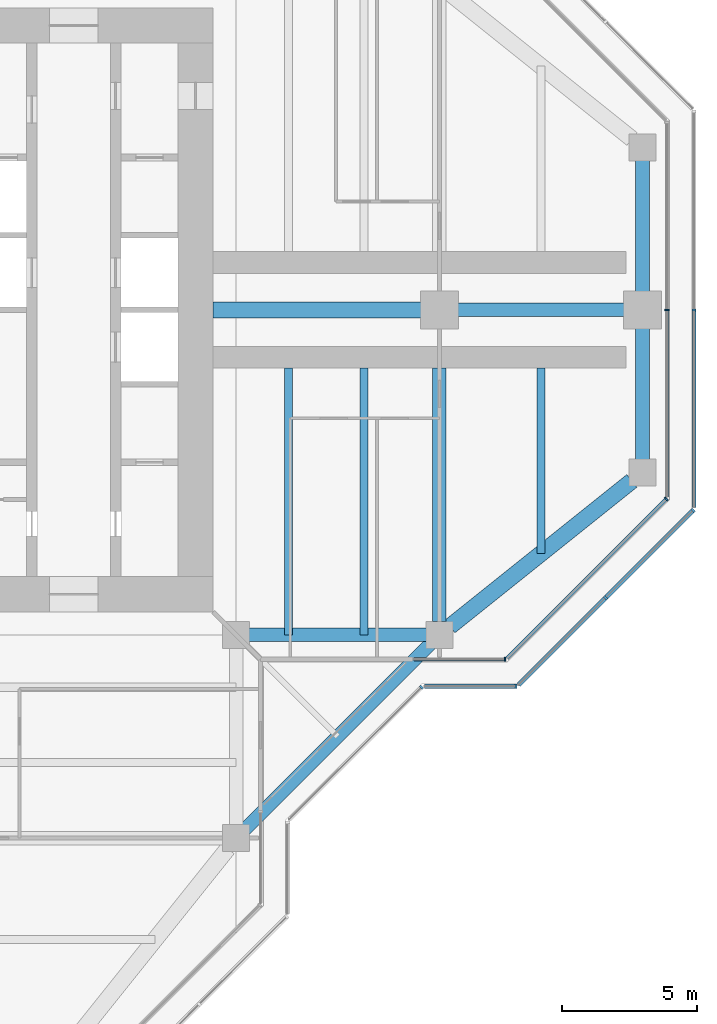
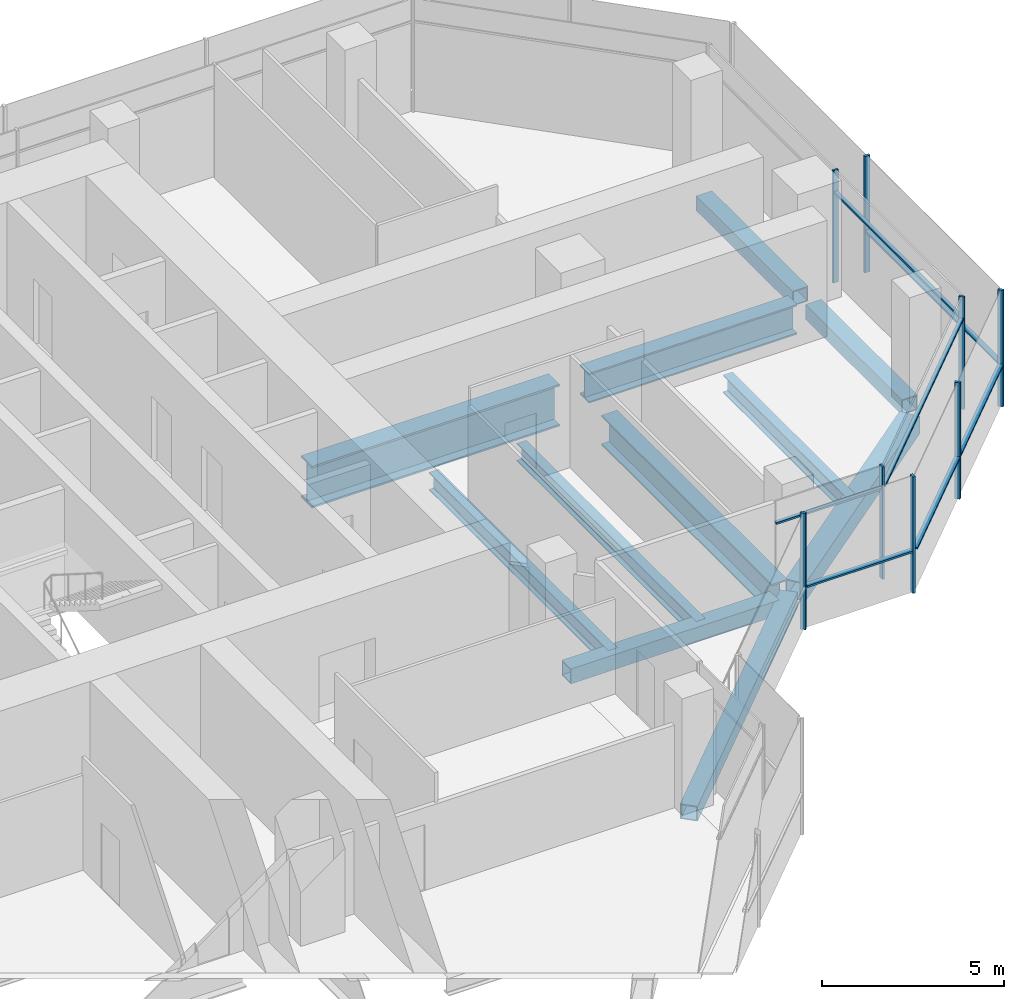
# One storey, part 5 of 16: 15 members, 11 beams, 7 elements without a shape of their own.
"""IFC4 building model written with IfcOpenShell, lengths in metres."""

from ifc_helpers import new_model, si_unit, direction, frame, origin, origin_2d, place, context, subcontext, project, spatial, rectangle, hollow_rectangle, i_section, extrude, material, material_profile, profile_set, type_object, element, aggregate, save


model = new_model("IFC4")

# Units and contexts
model_context = context("Model", 3, precision=1e-05, world=origin(), true_north=direction((0.0, 1.0)))
body_context = subcontext(model_context, "Body", "Model", "MODEL_VIEW")
ifc_project = project(units=[si_unit("LENGTHUNIT", "METRE"), si_unit("AREAUNIT", "SQUARE_METRE"), si_unit("VOLUMEUNIT", "CUBIC_METRE"), si_unit("PLANEANGLEUNIT", "RADIAN"), si_unit("MASSUNIT", "GRAM", prefix="KILO")], contexts=[model_context])

# Site, building, storey
site_placement = place(None, origin())
site = spatial("IfcSite", under=ifc_project, at=site_placement, CompositionType="ELEMENT")
building_placement = place(site_placement, origin())
building = spatial("IfcBuilding", under=site, at=building_placement, Name="Mizan Broadcast Tower", CompositionType="ELEMENT")
storey_placement = place(building_placement, frame((0.0, 0.0, 294.60009765625)))
storey = spatial("IfcBuildingStorey", under=building, at=storey_placement, Name="L70", CompositionType="ELEMENT", Elevation=294.60009765625)

# Beams
ifc_material_1 = material(Name="Steel S355", Category="steel")
ifc_material_profile_1 = material_profile(ifc_material_1, hollow_rectangle(XDim=0.5, YDim=0.5, WallThickness=0.030029296875, at=origin_2d()), Name="BOX 500x500x30")
ifc_profile_set_1 = profile_set([ifc_material_profile_1], Name="Steel S355")
beam_type_1 = type_object("IfcBeamType", Name="EDGE BEAM BOX 500x500x30", PredefinedType="SPANDREL", material=ifc_profile_set_1)
beam_1_placement = place(storey_placement, frame((12.449951171875, -12.0, -0.380126953125), z_axis=(1.0, 0.0, 0.0), x_axis=(0.0, 1.0, 0.0)))
element("IfcBeam", 1, at=beam_1_placement, inside=storey, type_object=beam_type_1, Name="Edge beam BOX 500x500x30 L70 east arm", PredefinedType="SPANDREL", context=body_context, shape_type="SweptSolid", body=[
    extrude(hollow_rectangle(XDim=0.5, YDim=0.5, WallThickness=0.030029296875, at=origin_2d()), origin(), (0.0, 0.0, 1.0), 6.60009765625),
])
for number, where, z_axis, x_axis, name in (
    (2, (27.0, -5.639892578125, -0.380126953125), (0.0, 1.0, 0.0), (-1.0, 0.0, 0.0), "Edge beam BOX 500x500x30 L70 east arm"),
    (3, (27.0, 5.639892578125, -0.380126953125), (0.0, -1.0, 0.0), (1.0, 0.0, 0.0), "Edge beam BOX 500x500x30 L70 east arm"),
):
    element("IfcBeam", number, at=place(storey_placement, frame(where, z_axis=z_axis, x_axis=x_axis)), inside=storey, type_object=beam_type_1, Name=name, PredefinedType="SPANDREL", context=body_context, shape_type="SweptSolid", body=[
        extrude(hollow_rectangle(XDim=0.5, YDim=0.5, WallThickness=0.030029296875, at=origin_2d()), origin(), (0.0, 0.0, 1.0), 5.27978515625),
    ])
beam_2_placement = place(storey_placement, frame((12.0, -19.5, -0.380126953125), z_axis=(0.707106781187, 0.707106781187, 0.0), x_axis=(-0.707106781187, 0.707106781187, 0.0)))
element("IfcBeam", 4, at=beam_2_placement, inside=storey, type_object=beam_type_1, Name="Winter garden edge beam L70 S", PredefinedType="SPANDREL", context=body_context, shape_type="SweptSolid", body=[
    extrude(hollow_rectangle(XDim=0.5, YDim=0.5, WallThickness=0.030029296875, at=origin_2d()), origin(), (0.0, 0.0, 1.0), 10.606689453125),
])
ifc_material_2 = material(Name="Steel S355", Category="steel")
ifc_material_profile_2 = material_profile(ifc_material_2, hollow_rectangle(XDim=0.60009765625, YDim=0.60009765625, WallThickness=0.030029296875, at=origin_2d()), Name="BOX 600x600x30")
ifc_profile_set_2 = profile_set([ifc_material_profile_2], Name="Steel S355")
beam_type_2 = type_object("IfcBeamType", Name="EDGE BEAM BOX 600x600x30", PredefinedType="SPANDREL", material=ifc_profile_set_2)
beam_3_placement = place(storey_placement, frame((19.890380859375, -11.687744140625, -0.43017578125), z_axis=(0.780863273348, 0.62470196761, 0.0), x_axis=(-0.62470196761, 0.780863273348, 0.0)))
element("IfcBeam", 5, at=beam_3_placement, inside=storey, type_object=beam_type_2, Name="Edge beam BOX 600x600x30 L70 east arm", PredefinedType="SPANDREL", context=body_context, shape_type="SweptSolid", body=[
    extrude(hollow_rectangle(XDim=0.60009765625, YDim=0.60009765625, WallThickness=0.030029296875, at=origin_2d()), origin(), (0.0, 0.0, 1.0), 8.60498046875),
])
ifc_material_3 = material(Name="Steel S460", Category="steel")
ifc_material_profile_3 = material_profile(ifc_material_3, i_section(OverallWidth=0.5, OverallDepth=1.0, WebThickness=0.02490234375, FlangeThickness=0.050048828125, at=origin_2d()), Name="WPG 1000x500")
ifc_profile_set_3 = profile_set([ifc_material_profile_3], Name="Steel S460")
beam_type_3 = type_object("IfcBeamType", Name="GIRDER WPG 1000x500", PredefinedType="BEAM", material=ifc_profile_set_3)
beam_4_placement = place(storey_placement, frame((19.949951171875, 0.0, -0.630126953125), z_axis=(1.0, 0.0, 0.0), x_axis=(0.0, 1.0, 0.0)))
element("IfcBeam", 6, at=beam_4_placement, inside=storey, type_object=beam_type_3, Name="Girder WPG 1000x500 L70 east arm", PredefinedType="BEAM", context=body_context, shape_type="SweptSolid", body=[
    extrude(i_section(OverallWidth=0.5, OverallDepth=1.0, WebThickness=0.02490234375, FlangeThickness=0.050048828125, at=origin_2d()), origin(), (0.0, 0.0, 1.0), 6.60009765625),
])
beam_5_placement = place(storey_placement, frame((19.5, -11.5, -0.630126953125), z_axis=(0.0, 1.0, 0.0), x_axis=(-1.0, 0.0, 0.0)))
element("IfcBeam", 7, at=beam_5_placement, inside=storey, type_object=beam_type_3, Name="Girder WPG 1000x500 L70 east arm", PredefinedType="BEAM", context=body_context, shape_type="SweptSolid", body=[
    extrude(i_section(OverallWidth=0.5, OverallDepth=1.0, WebThickness=0.02490234375, FlangeThickness=0.050048828125, at=origin_2d()), origin(), (0.0, 0.0, 1.0), 9.35009765625),
])
ifc_material_4 = material(Name="Steel S460", Category="steel")
ifc_material_profile_4 = material_profile(ifc_material_4, i_section(OverallWidth=0.60009765625, OverallDepth=1.39990234375, WebThickness=0.02490234375, FlangeThickness=0.06005859375, at=origin_2d()), Name="WPG 1400x600")
ifc_profile_set_4 = profile_set([ifc_material_profile_4], Name="Steel S460")
beam_type_4 = type_object("IfcBeamType", Name="GIRDER WPG 1400x600", PredefinedType="BEAM", material=ifc_profile_set_4)
beam_6_placement = place(storey_placement, frame((11.14990234375, 0.0, -0.830078125), z_axis=(1.0, 0.0, 0.0), x_axis=(0.0, 1.0, 0.0)))
element("IfcBeam", 8, at=beam_6_placement, inside=storey, type_object=beam_type_4, Name="Girder WPG 1400x600 L70 east arm", PredefinedType="BEAM", context=body_context, shape_type="SweptSolid", body=[
    extrude(i_section(OverallWidth=0.60009765625, OverallDepth=1.39990234375, WebThickness=0.02490234375, FlangeThickness=0.06005859375, at=origin_2d()), origin(), (0.0, 0.0, 1.0), 7.84912109375),
])

# Curtain wall, member
ifc_material_5 = material(Name="Aluminium framed glazing", Category="aluminium")
curtain_wall_type_1 = type_object("IfcCurtainWallType", Name="INNER SKIN TOP ZONE", PredefinedType="USERDEFINED", material=ifc_material_5)
curtain_wall_1_placement = place(storey_placement, origin())
curtain_wall_1 = element("IfcCurtainWall", 9, at=curtain_wall_1_placement, inside=storey, type_object=curtain_wall_type_1, Name="Inner skin top zone L70 E side", ObjectType="INNER SKIN TOP ZONE", PredefinedType="USERDEFINED")
ifc_material_6 = material(Name="Aluminium, pale anodised", Category="aluminium")
ifc_material_profile_5 = material_profile(ifc_material_6, rectangle(XDim=0.159912109375, YDim=0.06005859375, at=origin_2d()), Name="MULLION 160x60")
ifc_profile_set_5 = profile_set([ifc_material_profile_5], Name="Aluminium, pale anodised")
member_type_1 = type_object("IfcMemberType", Name="INNER SKIN MULLION 60x160", PredefinedType="MULLION", material=ifc_profile_set_5)
member_1_placement = place(storey_placement, frame((21.928466796875, -12.89990234375, 0.0), z_axis=(0.0, 0.0, 1.0), x_axis=(0.0, 1.0, 0.0)))
member_1 = element("IfcMember", 10, at=member_1_placement, type_object=member_type_1, Name="Inner skin top zone L70 E side mullion 2", PredefinedType="MULLION", context=body_context, shape_type="SweptSolid", body=[
    extrude(rectangle(XDim=0.159912109375, YDim=0.06005859375, at=origin_2d()), origin(), (0.0, 0.0, 1.0), 3.77001953125),
])

curtain_wall_2_placement = place(storey_placement, origin())
curtain_wall_2 = element("IfcCurtainWall", 11, at=curtain_wall_2_placement, inside=storey, type_object=curtain_wall_type_1, Name="Inner skin top zone L70 E chamfer", ObjectType="INNER SKIN TOP ZONE", PredefinedType="USERDEFINED")
member_2_placement = place(storey_placement, frame((27.87890625, -6.979736328125, 0.0), z_axis=(0.0, 0.0, 1.0), x_axis=(-0.707106781187, 0.707106781187, 0.0)))
member_2 = element("IfcMember", 12, at=member_2_placement, type_object=member_type_1, Name="Inner skin top zone L70 E chamfer mullion 2", PredefinedType="MULLION", context=body_context, shape_type="SweptSolid", body=[
    extrude(rectangle(XDim=0.159912109375, YDim=0.06005859375, at=origin_2d()), origin(), (0.0, 0.0, 1.0), 3.77001953125),
])

curtain_wall_3_placement = place(storey_placement, origin())
curtain_wall_3 = element("IfcCurtainWall", 13, at=curtain_wall_3_placement, inside=storey, type_object=curtain_wall_type_1, Name="Inner skin top zone L70 E end", ObjectType="INNER SKIN TOP ZONE", PredefinedType="USERDEFINED")
member_3_placement = place(storey_placement, frame((27.89990234375, 0.0, 0.0), z_axis=(0.0, 0.0, 1.0), x_axis=(-1.0, 0.0, 0.0)))
member_3 = element("IfcMember", 14, at=member_3_placement, type_object=member_type_1, Name="Inner skin top zone L70 E end mullion 2", PredefinedType="MULLION", context=body_context, shape_type="SweptSolid", body=[
    extrude(rectangle(XDim=0.159912109375, YDim=0.06005859375, at=origin_2d()), origin(), (0.0, 0.0, 1.0), 3.77001953125),
])

# Member
ifc_material_7 = material(Name="Aluminium, pale anodised", Category="aluminium")
ifc_material_profile_6 = material_profile(ifc_material_7, rectangle(XDim=0.1201171875, YDim=0.06005859375, at=origin_2d()), Name="TRANSOM 120x60")
ifc_profile_set_6 = profile_set([ifc_material_profile_6], Name="Aluminium, pale anodised")
member_type_2 = type_object("IfcMemberType", Name="INNER SKIN TRANSOM 60x120", PredefinedType="USERDEFINED", material=ifc_profile_set_6)
member_4_placement = place(storey_placement, frame((18.56005859375, -12.89990234375, 3.02978515625), z_axis=(1.0, 0.0, 0.0), x_axis=(0.0, 1.0, 0.0)))
member_4 = element("IfcMember", 15, at=member_4_placement, type_object=member_type_2, Name="Inner skin top zone L70 E side transom 1.1", ObjectType="TRANSOM", PredefinedType="USERDEFINED", context=body_context, shape_type="SweptSolid", body=[
    extrude(rectangle(XDim=0.1201171875, YDim=0.06005859375, at=origin_2d()), origin(), (0.0, 0.0, 1.0), 3.338623046875),
])

aggregate(curtain_wall_1, [member_1, member_4])

member_5_placement = place(storey_placement, frame((22.0009765625, -12.857666015625, 3.02978515625), z_axis=(0.707106781187, 0.707106781187, 0.0), x_axis=(-0.707106781187, 0.707106781187, 0.0)))
member_5 = element("IfcMember", 16, at=member_5_placement, type_object=member_type_2, Name="Inner skin top zone L70 E chamfer transom 1.1", ObjectType="TRANSOM", PredefinedType="USERDEFINED", context=body_context, shape_type="SweptSolid", body=[
    extrude(rectangle(XDim=0.1201171875, YDim=0.06005859375, at=origin_2d()), origin(), (0.0, 0.0, 1.0), 8.28271484375),
])

aggregate(curtain_wall_2, [member_2, member_5])

member_6_placement = place(storey_placement, frame((27.89990234375, -6.898681640625, 3.02978515625), z_axis=(0.0, 1.0, 0.0), x_axis=(-1.0, 0.0, 0.0)))
member_6 = element("IfcMember", 17, at=member_6_placement, type_object=member_type_2, Name="Inner skin top zone L70 E end transom 1.1", ObjectType="TRANSOM", PredefinedType="USERDEFINED", context=body_context, shape_type="SweptSolid", body=[
    extrude(rectangle(XDim=0.1201171875, YDim=0.06005859375, at=origin_2d()), origin(), (0.0, 0.0, 1.0), 6.86865234375),
])

aggregate(curtain_wall_3, [member_3, member_6])

# Curtain wall, member
ifc_material_8 = material(Name="Aluminium framed glazing", Category="aluminium")
curtain_wall_type_2 = type_object("IfcCurtainWallType", Name="OUTER SKIN", PredefinedType="USERDEFINED", material=ifc_material_8)
curtain_wall_4_placement = place(storey_placement, origin())
curtain_wall_4 = element("IfcCurtainWall", 18, at=curtain_wall_4_placement, inside=storey, type_object=curtain_wall_type_2, Name="Outer skin L70 E chamfer", ObjectType="OUTER SKIN", PredefinedType="USERDEFINED")
ifc_material_9 = material(Name="Aluminium, pale anodised", Category="aluminium")
ifc_material_profile_7 = material_profile(ifc_material_9, rectangle(XDim=0.159912109375, YDim=0.080078125, at=origin_2d()), Name="MULLION 160x80")
ifc_profile_set_7 = profile_set([ifc_material_profile_7], Name="Aluminium, pale anodised")
member_type_3 = type_object("IfcMemberType", Name="OUTER SKIN MULLION 80x160", PredefinedType="MULLION", material=ifc_profile_set_7)
member_7_placement = place(storey_placement, frame((18.844482421875, -13.92822265625, 0.0), z_axis=(0.0, 0.0, 1.0), x_axis=(-0.707106781187, 0.707106781187, 0.0)))
member_7 = element("IfcMember", 19, at=member_7_placement, type_object=member_type_3, Name="Outer skin L70 E chamfer mullion 2", PredefinedType="MULLION", context=body_context, shape_type="SweptSolid", body=[
    extrude(rectangle(XDim=0.159912109375, YDim=0.080078125, at=origin_2d()), origin(), (0.0, 0.0, 1.0), 3.89990234375),
])
aggregate(curtain_wall_4, [member_7])

curtain_wall_5_placement = place(storey_placement, origin())
curtain_wall_5 = element("IfcCurtainWall", 20, at=curtain_wall_5_placement, inside=storey, type_object=curtain_wall_type_2, Name="Outer skin L70 E side", ObjectType="OUTER SKIN", PredefinedType="USERDEFINED")
member_8_placement = place(storey_placement, frame((22.332763671875, -13.89990234375, 0.0), z_axis=(0.0, 0.0, 1.0), x_axis=(0.0, 1.0, 0.0)))
member_8 = element("IfcMember", 21, at=member_8_placement, type_object=member_type_3, Name="Outer skin L70 E side mullion 2", PredefinedType="MULLION", context=body_context, shape_type="SweptSolid", body=[
    extrude(rectangle(XDim=0.159912109375, YDim=0.080078125, at=origin_2d()), origin(), (0.0, 0.0, 1.0), 3.89990234375),
])

# Curtain wall, members
curtain_wall_6_placement = place(storey_placement, origin())
curtain_wall_6 = element("IfcCurtainWall", 22, at=curtain_wall_6_placement, inside=storey, type_object=curtain_wall_type_2, Name="Outer skin L70 E chamfer", ObjectType="OUTER SKIN", PredefinedType="USERDEFINED")
member_9_placement = place(storey_placement, frame((25.636474609375, -10.636474609375, 0.0), z_axis=(0.0, 0.0, 1.0), x_axis=(-0.707106781187, 0.707106781187, 0.0)))
member_9 = element("IfcMember", 23, at=member_9_placement, type_object=member_type_3, Name="Outer skin L70 E chamfer mullion 2", PredefinedType="MULLION", context=body_context, shape_type="SweptSolid", body=[
    extrude(rectangle(XDim=0.159912109375, YDim=0.080078125, at=origin_2d()), origin(), (0.0, 0.0, 1.0), 3.89990234375),
])
member_10_placement = place(storey_placement, frame((28.871826171875, -7.401123046875, 0.0), z_axis=(0.0, 0.0, 1.0), x_axis=(-0.707106781187, 0.707106781187, 0.0)))
member_10 = element("IfcMember", 24, at=member_10_placement, type_object=member_type_3, Name="Outer skin L70 E chamfer mullion 3", PredefinedType="MULLION", context=body_context, shape_type="SweptSolid", body=[
    extrude(rectangle(XDim=0.159912109375, YDim=0.080078125, at=origin_2d()), origin(), (0.0, 0.0, 1.0), 3.89990234375),
])

# Curtain wall, member
curtain_wall_7_placement = place(storey_placement, origin())
curtain_wall_7 = element("IfcCurtainWall", 25, at=curtain_wall_7_placement, inside=storey, type_object=curtain_wall_type_2, Name="Outer skin L70 E end", ObjectType="OUTER SKIN", PredefinedType="USERDEFINED")
member_11_placement = place(storey_placement, frame((28.89990234375, 0.0, 0.0), z_axis=(0.0, 0.0, 1.0), x_axis=(-1.0, 0.0, 0.0)))
member_11 = element("IfcMember", 26, at=member_11_placement, type_object=member_type_3, Name="Outer skin L70 E end mullion 2", PredefinedType="MULLION", context=body_context, shape_type="SweptSolid", body=[
    extrude(rectangle(XDim=0.159912109375, YDim=0.080078125, at=origin_2d()), origin(), (0.0, 0.0, 1.0), 3.89990234375),
])

# Member
ifc_material_10 = material(Name="Aluminium, pale anodised", Category="aluminium")
ifc_material_profile_8 = material_profile(ifc_material_10, rectangle(XDim=0.159912109375, YDim=0.06005859375, at=origin_2d()), Name="TRANSOM 160x60")
ifc_profile_set_8 = profile_set([ifc_material_profile_8], Name="Aluminium, pale anodised")
member_type_4 = type_object("IfcMemberType", Name="OUTER SKIN TRANSOM 60x160", PredefinedType="USERDEFINED", material=ifc_profile_set_8)
member_12_placement = place(storey_placement, frame((18.952880859375, -13.89990234375, 1.39990234375), z_axis=(1.0, 0.0, 0.0), x_axis=(0.0, 1.0, 0.0)))
member_12 = element("IfcMember", 27, at=member_12_placement, type_object=member_type_4, Name="Outer skin L70 E side transom 1.1", ObjectType="TRANSOM", PredefinedType="USERDEFINED", context=body_context, shape_type="SweptSolid", body=[
    extrude(rectangle(XDim=0.159912109375, YDim=0.06005859375, at=origin_2d()), origin(), (0.0, 0.0, 1.0), 3.33984375),
])

aggregate(curtain_wall_5, [member_8, member_12])

member_13_placement = place(storey_placement, frame((22.429443359375, -13.843505859375, 1.39990234375), z_axis=(0.707106781187, 0.707106781187, 0.0), x_axis=(-0.707106781187, 0.707106781187, 0.0)))
member_13 = element("IfcMember", 28, at=member_13_placement, type_object=member_type_4, Name="Outer skin L70 E chamfer transom 1.1", ObjectType="TRANSOM", PredefinedType="USERDEFINED", context=body_context, shape_type="SweptSolid", body=[
    extrude(rectangle(XDim=0.159912109375, YDim=0.06005859375, at=origin_2d()), origin(), (0.0, 0.0, 1.0), 4.495361328125),
])

member_14_placement = place(storey_placement, frame((25.664794921875, -10.608154296875, 1.39990234375), z_axis=(0.707106781187, 0.707106781187, 0.0), x_axis=(-0.707106781187, 0.707106781187, 0.0)))
member_14 = element("IfcMember", 29, at=member_14_placement, type_object=member_type_4, Name="Outer skin L70 E chamfer transom 2.1", ObjectType="TRANSOM", PredefinedType="USERDEFINED", context=body_context, shape_type="SweptSolid", body=[
    extrude(rectangle(XDim=0.159912109375, YDim=0.06005859375, at=origin_2d()), origin(), (0.0, 0.0, 1.0), 4.495361328125),
])

aggregate(curtain_wall_6, [member_9, member_10, member_13, member_14])

member_15_placement = place(storey_placement, frame((28.89990234375, -7.292724609375, 1.39990234375), z_axis=(0.0, 1.0, 0.0), x_axis=(-1.0, 0.0, 0.0)))
member_15 = element("IfcMember", 30, at=member_15_placement, type_object=member_type_4, Name="Outer skin L70 E end transom 1.1", ObjectType="TRANSOM", PredefinedType="USERDEFINED", context=body_context, shape_type="SweptSolid", body=[
    extrude(rectangle(XDim=0.159912109375, YDim=0.06005859375, at=origin_2d()), origin(), (0.0, 0.0, 1.0), 7.252685546875),
])

aggregate(curtain_wall_7, [member_11, member_15])

# Beams
ifc_material_11 = material(Name="Steel S355", Category="steel")
ifc_material_profile_9 = material_profile(ifc_material_11, i_section(OverallWidth=0.300048828125, OverallDepth=0.590087890625, WebThickness=0.012939453125, FlangeThickness=0.02490234375, FilletRadius=0.027099609375, at=origin_2d()), Name="HEA 600")
ifc_profile_set_9 = profile_set([ifc_material_profile_9], Name="Steel S355")
beam_type_5 = type_object("IfcBeamType", Name="SECONDARY BEAM HEA 600", PredefinedType="JOIST", material=ifc_profile_set_9)
for number, where, z_axis, x_axis, name in (
    (31, (13.933349609375, -12.0, -0.425048828125), (0.0, 1.0, 0.0), (-1.0, 0.0, 0.0), "Secondary beam HEA 600 L70 east arm"),
    (32, (16.716552734375, -12.0, -0.425048828125), (0.0, 1.0, 0.0), (-1.0, 0.0, 0.0), "Secondary beam HEA 600 L70 east arm"),
):
    element("IfcBeam", number, at=place(storey_placement, frame(where, z_axis=z_axis, x_axis=x_axis)), inside=storey, type_object=beam_type_5, Name=name, PredefinedType="JOIST", context=body_context, shape_type="SweptSolid", body=[
        extrude(i_section(OverallWidth=0.300048828125, OverallDepth=0.590087890625, WebThickness=0.012939453125, FlangeThickness=0.02490234375, FilletRadius=0.027099609375, at=origin_2d()), origin(), (0.0, 0.0, 1.0), 9.85009765625),
    ])
beam_7_placement = place(storey_placement, frame((23.25, -9.0, -0.425048828125), z_axis=(0.0, 1.0, 0.0), x_axis=(-1.0, 0.0, 0.0)))
element("IfcBeam", 33, at=beam_7_placement, inside=storey, type_object=beam_type_5, Name="Secondary beam HEA 600 L70 east arm", PredefinedType="JOIST", context=body_context, shape_type="SweptSolid", body=[
    extrude(i_section(OverallWidth=0.300048828125, OverallDepth=0.590087890625, WebThickness=0.012939453125, FlangeThickness=0.02490234375, FilletRadius=0.027099609375, at=origin_2d()), origin(), (0.0, 0.0, 1.0), 6.85009765625),
])

save(model, "model.ifc")
